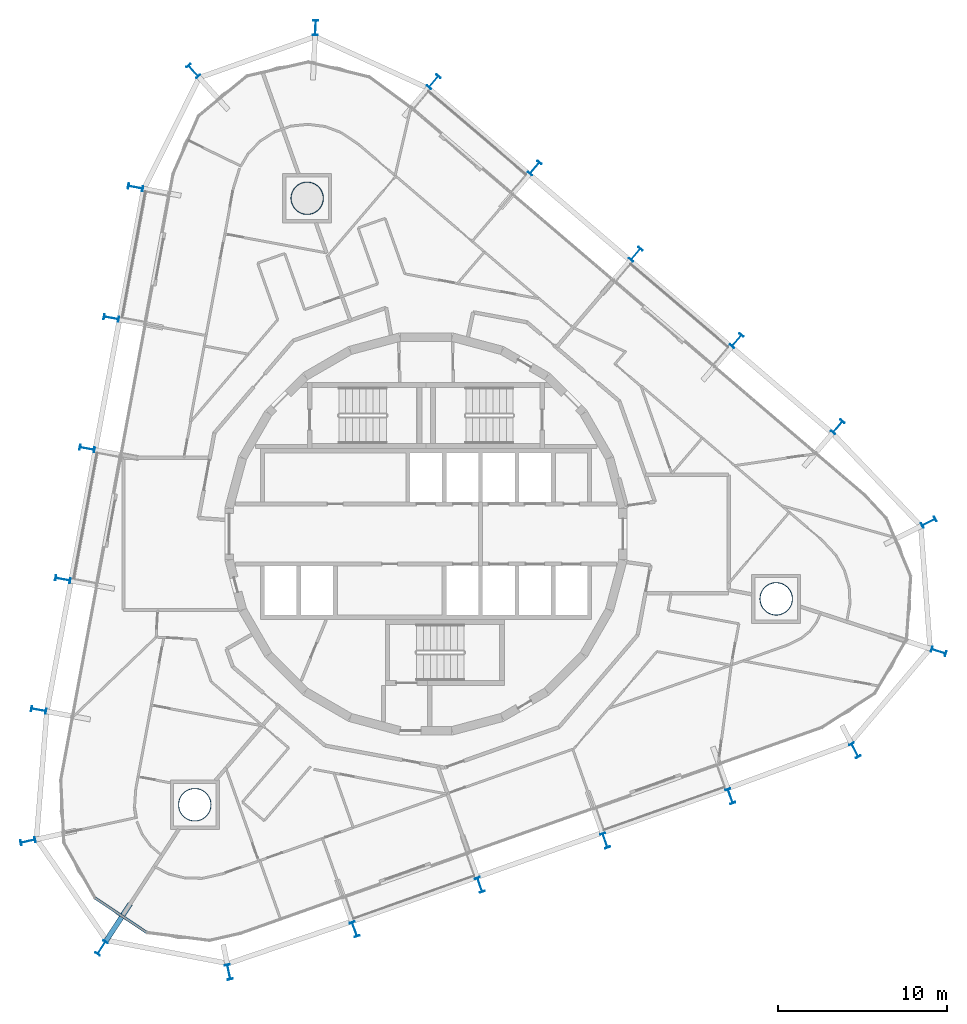
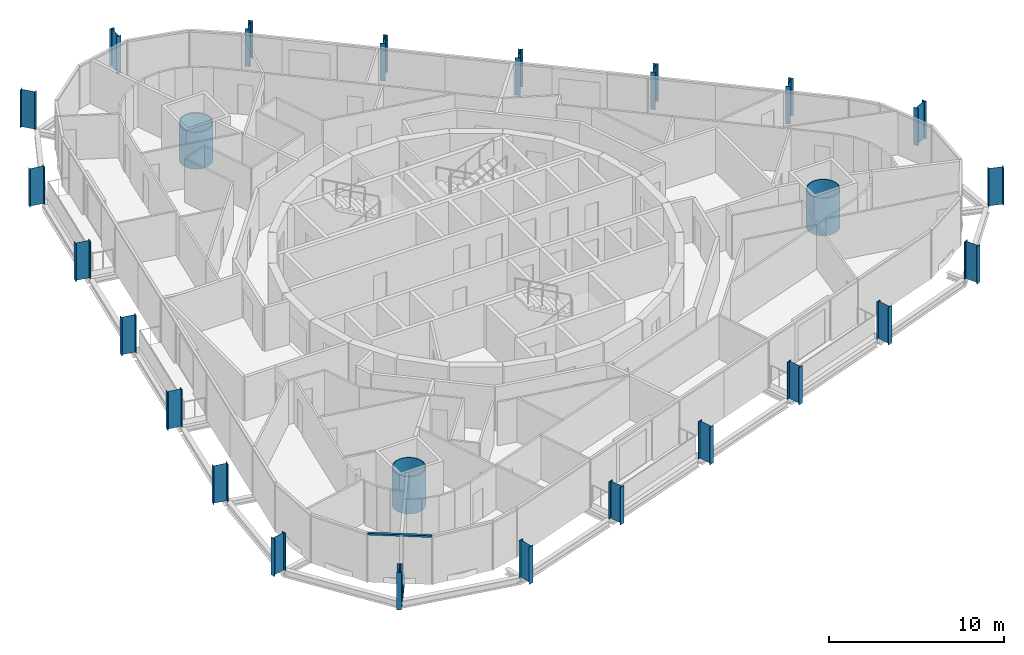
# One storey, part 1 of 17: 25 columns, 1 beam, 1 member, 1 element without a shape of its own.
"""IFC4 building model written with IfcOpenShell, lengths in metres."""

from ifc_helpers import new_model, si_unit, direction, frame, origin, origin_2d, place, context, subcontext, project, spatial, rectangle, hollow_circle, i_section, extrude, material, layer, layer_set, material_profile, profile_set, type_object, element, aggregate, save


model = new_model("IFC4")

# Units and contexts
model_context = context("Model", 3, precision=1e-05, world=origin(), true_north=direction((0.0, 1.0)))
body_context = subcontext(model_context, "Body", "Model", "MODEL_VIEW")
ifc_project = project(units=[si_unit("LENGTHUNIT", "METRE"), si_unit("AREAUNIT", "SQUARE_METRE"), si_unit("VOLUMEUNIT", "CUBIC_METRE"), si_unit("PLANEANGLEUNIT", "RADIAN"), si_unit("MASSUNIT", "GRAM", prefix="KILO")], contexts=[model_context])

# Site, building, storey
site_placement = place(None, origin())
site = spatial("IfcSite", under=ifc_project, at=site_placement, CompositionType="ELEMENT")
building_placement = place(site_placement, origin())
building = spatial("IfcBuilding", under=site, at=building_placement, Name="Spindle Arch Residences", CompositionType="ELEMENT")
storey_placement = place(building_placement, frame((0.0, 0.0, 179.699951171875)))
storey = spatial("IfcBuildingStorey", under=building, at=storey_placement, Name="L45", CompositionType="ELEMENT", Elevation=179.699951171875)

# Columns
ifc_material_1 = material(Name="Steel S460ML, intumescent coating R 240", Category="steel")
ifc_material_profile_1 = material_profile(ifc_material_1, i_section(OverallWidth=0.300048828125, OverallDepth=0.89990234375, WebThickness=0.0185546875, FlangeThickness=0.034912109375, FilletRadius=0.030029296875, at=origin_2d()), Name="HEB 900")
ifc_profile_set_1 = profile_set([ifc_material_profile_1], Name="Steel S460ML, intumescent coating R 240")
column_type_1 = type_object("IfcColumnType", Name="Exoskeleton post HEB 900", PredefinedType="COLUMN", material=ifc_profile_set_1)
for number, where, z_axis, x_axis, name in (
    (1, (10.592041015625, -18.1376953125, -0.3798828125), (0.0, 0.0, 1.0), (-0.942641392079, -0.333807138839, 0.0), "Exoskeleton post 1"),
    (2, (18.001220703125, -15.513916015625, -0.3798828125), (0.0, 0.0, 1.0), (-0.942641392079, -0.333807138839, 0.0), "Exoskeleton post 2"),
    (3, (25.37353515625, -12.79931640625, -0.3798828125), (0.0, 0.0, 1.0), (-0.887176487998, -0.461430253823, 0.0), "Exoskeleton post 3"),
    (4, (30.322509765625, -6.948486328125, -0.3798828125), (0.0, 0.0, 1.0), (-0.307880057726, -0.95142517838, 0.0), "Exoskeleton post 4"),
    (5, (29.739501953125, 0.6923828125, -0.3798828125), (0.0, 0.0, 1.0), (0.448657012727, -0.893704025352, 0.0), "Exoskeleton post 5"),
    (6, (24.357666015625, 6.330810546875, -0.3798828125), (0.0, 0.0, 1.0), (0.76040600398, -0.649448003393, 0.0), "Exoskeleton post 6"),
    (7, (18.380615234375, 11.435546875, -0.3798828125), (0.0, 0.0, 1.0), (0.76040600398, -0.649448003393, 0.0), "Exoskeleton post 7"),
    (8, (12.40380859375, 16.540283203125, -0.3798828125), (0.0, 0.0, 1.0), (0.76040600398, -0.649448003393, 0.0), "Exoskeleton post 8"),
    (9, (6.427001953125, 21.64501953125, -0.3798828125), (0.0, 0.0, 1.0), (0.76040600398, -0.649448003393, 0.0), "Exoskeleton post 9"),
    (10, (0.4501953125, 26.74951171875, -0.3798828125), (0.0, 0.0, 1.0), (0.76040600398, -0.649448003393, 0.0), "Exoskeleton post 10"),
    (11, (-6.53955078125, 29.945556640625, -0.3798828125), (0.0, 0.0, 1.0), (0.998810817099, -0.048753991075, 0.0), "Exoskeleton post 11"),
    (12, (-13.76318359375, 27.387451171875, -0.3798828125), (0.0, 0.0, 1.0), (0.745539941806, 0.666460947972, 0.0), "Exoskeleton post 12"),
    (13, (-17.183837890625, 20.505126953125, -0.3798828125), (0.0, 0.0, 1.0), (0.182235967681, 0.983254825609, 0.0), "Exoskeleton post 13"),
    (14, (-18.6162109375, 12.776611328125, -0.3798828125), (0.0, 0.0, 1.0), (0.182235967681, 0.983254825609, 0.0), "Exoskeleton post 14"),
    (15, (-20.048583984375, 5.048095703125, -0.3798828125), (0.0, 0.0, 1.0), (0.182235967681, 0.983254825609, 0.0), "Exoskeleton post 15"),
    (16, (-21.481201171875, -2.680419921875, -0.3798828125), (0.0, 0.0, 1.0), (0.182235967681, 0.983254825609, 0.0), "Exoskeleton post 16"),
    (17, (-22.91357421875, -10.40869140625, -0.3798828125), (0.0, 0.0, 1.0), (0.182235967681, 0.983254825609, 0.0), "Exoskeleton post 17"),
    (18, (-23.5478515625, -18.177490234375, -0.3798828125), (0.0, 0.0, 1.0), (-0.213754108667, 0.976887496607, 0.0), "Exoskeleton post 18"),
    (19, (-19.192138671875, -24.482666015625, -0.3798828125), (0.0, 0.0, 1.0), (-0.838019022948, 0.545641014933, 0.0), "Exoskeleton post 19"),
    (20, (-11.6640625, -25.9150390625, -0.3798828125), (0.0, 0.0, 1.0), (-0.979853205488, -0.199719041891, 0.0), "Exoskeleton post 20"),
    (21, (-4.226318359375, -23.385009765625, -0.3798828125), (0.0, 0.0, 1.0), (-0.942641392079, -0.333807138839, 0.0), "Exoskeleton post 21"),
    (22, (3.182861328125, -20.76123046875, -0.3798828125), (0.0, 0.0, 1.0), (-0.942641392079, -0.333807138839, 0.0), "Exoskeleton post 22"),
):
    element("IfcColumn", number, at=place(storey_placement, frame(where, z_axis=z_axis, x_axis=x_axis)), inside=storey, type_object=column_type_1, Name=name, PredefinedType="COLUMN", context=body_context, shape_type="SweptSolid", body=[
        extrude(i_section(OverallWidth=0.300048828125, OverallDepth=0.89990234375, WebThickness=0.0185546875, FlangeThickness=0.034912109375, FilletRadius=0.030029296875, at=origin_2d()), origin(), (0.0, 0.0, 1.0), 2.615966796875),
    ])
ifc_material_2 = material(Name="Concrete C50/60 filled steel tube S460ML, intumescent coating R 240", Category="concrete")
ifc_material_profile_2 = material_profile(ifc_material_2, hollow_circle(Radius=0.97509765625, WallThickness=0.044921875, at=origin_2d()), Name="CFT D1950x45")
ifc_profile_set_2 = profile_set([ifc_material_profile_2], Name="Concrete C50/60 filled steel tube S460ML, intumescent coating R 240")
column_type_2 = type_object("IfcColumnType", Name="Mega-column CFT D1950x45", PredefinedType="COLUMN", material=ifc_profile_set_2)
column_1_placement = place(storey_placement, frame((20.713134765625, -3.839111328125, -0.3798828125), z_axis=(0.0, 0.0, 1.0), x_axis=(1.0, 0.0, 0.0)))
element("IfcColumn", 23, at=column_1_placement, inside=storey, type_object=column_type_2, Name="Mega-column 1", PredefinedType="COLUMN", context=body_context, shape_type="SweptSolid", body=[
    extrude(hollow_circle(Radius=0.97509765625, WallThickness=0.044921875, at=origin_2d()), origin(), (0.0, 0.0, 1.0), 2.615966796875),
])
column_2_placement = place(storey_placement, frame((-7.031982421875, 19.857666015625, -0.3798828125), z_axis=(0.0, 0.0, 1.0), x_axis=(1.0, 0.0, 0.0)))
element("IfcColumn", 24, at=column_2_placement, inside=storey, type_object=column_type_2, Name="Mega-column 2", PredefinedType="COLUMN", context=body_context, shape_type="SweptSolid", body=[
    extrude(hollow_circle(Radius=0.97509765625, WallThickness=0.044921875, at=origin_2d()), origin(), (0.0, 0.0, 1.0), 2.575927734375),
])
column_3_placement = place(storey_placement, frame((-13.68115234375, -16.0185546875, -0.3798828125), z_axis=(0.0, 0.0, 1.0), x_axis=(1.0, 0.0, 0.0)))
element("IfcColumn", 25, at=column_3_placement, inside=storey, type_object=column_type_2, Name="Mega-column 3", PredefinedType="COLUMN", context=body_context, shape_type="SweptSolid", body=[
    extrude(hollow_circle(Radius=0.97509765625, WallThickness=0.044921875, at=origin_2d()), origin(), (0.0, 0.0, 1.0), 2.615966796875),
])

# Curtain wall, member
ifc_material_3 = material(Name="Aluminium bronze unitised frame with tinted glass", Category="aluminium")
ifc_layer = layer(ifc_material_3, 0.159912109375)
ifc_layer_set = layer_set([ifc_layer], Name="CW-D corner wall on the fillet arcs")
curtain_wall_type = type_object("IfcCurtainWallType", Name="CW-D corner wall on the fillet arcs", PredefinedType="NOTDEFINED", material=ifc_layer_set)
curtain_wall_placement = place(storey_placement, origin())
curtain_wall = element("IfcCurtainWall", 26, at=curtain_wall_placement, inside=storey, type_object=curtain_wall_type, Name="CW-D L45 run 5", PredefinedType="NOTDEFINED")
ifc_material_4 = material(Name="Aluminium bronze anodised transom", Category="aluminium")
ifc_material_profile_3 = material_profile(ifc_material_4, rectangle(XDim=0.159912109375, YDim=0.1201171875, at=origin_2d()), Name="TR 120x160")
ifc_profile_set_3 = profile_set([ifc_material_profile_3], Name="Aluminium bronze anodised transom")
member_type = type_object("IfcMemberType", Name="Bronze transom 120x160", PredefinedType="USERDEFINED", material=ifc_profile_set_3)
member_placement = place(storey_placement, frame((-19.58154296875, -21.528564453125, 2.989990234375), z_axis=(0.830623700005, -0.556834148549, 0.0), x_axis=(0.556834148549, 0.830623700005, 0.0)))
member = element("IfcMember", 27, at=member_placement, type_object=member_type, Name="CW-D transom 03", ObjectType="TRANSOM", PredefinedType="USERDEFINED", context=body_context, shape_type="SweptSolid", body=[
    extrude(rectangle(XDim=0.159912109375, YDim=0.1201171875, at=origin_2d()), origin(), (0.0, 0.0, 1.0), 3.666748046875),
])
aggregate(curtain_wall, [member])

# Beam
ifc_material_5 = material(Name="Steel S460ML, intumescent coating R 120", Category="steel")
ifc_material_profile_4 = material_profile(ifc_material_5, i_section(OverallWidth=0.300048828125, OverallDepth=0.389892578125, WebThickness=0.010986328125, FlangeThickness=0.01904296875, FilletRadius=0.027099609375, at=origin_2d()), Name="HEA 400")
ifc_profile_set_4 = profile_set([ifc_material_profile_4], Name="Steel S460ML, intumescent coating R 120")
beam_type = type_object("IfcBeamType", Name="Floor outrigger HEA 400", PredefinedType="BEAM", material=ifc_profile_set_4)
beam_placement = place(storey_placement, frame((-18.94677734375, -24.10546875, -0.574951171875), z_axis=(0.545674675997, 0.837997104992, 0.0), x_axis=(-0.837997104992, 0.545674675997, 0.0)))
element("IfcBeam", 28, at=beam_placement, inside=storey, type_object=beam_type, Name="Floor outrigger 19", PredefinedType="BEAM", context=body_context, shape_type="SweptSolid", body=[
    extrude(i_section(OverallWidth=0.300048828125, OverallDepth=0.389892578125, WebThickness=0.010986328125, FlangeThickness=0.01904296875, FilletRadius=0.027099609375, at=origin_2d()), origin(), (0.0, 0.0, 1.0), 2.64990234375),
])

save(model, "model.ifc")
